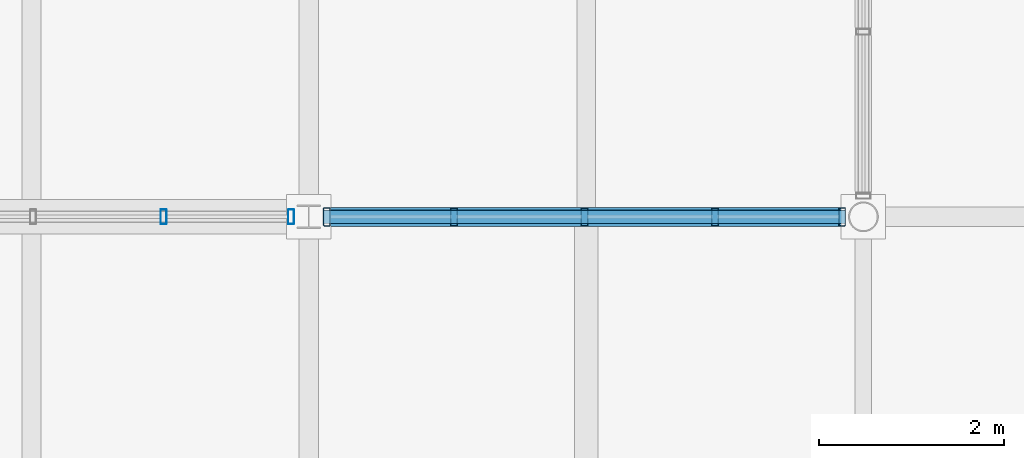
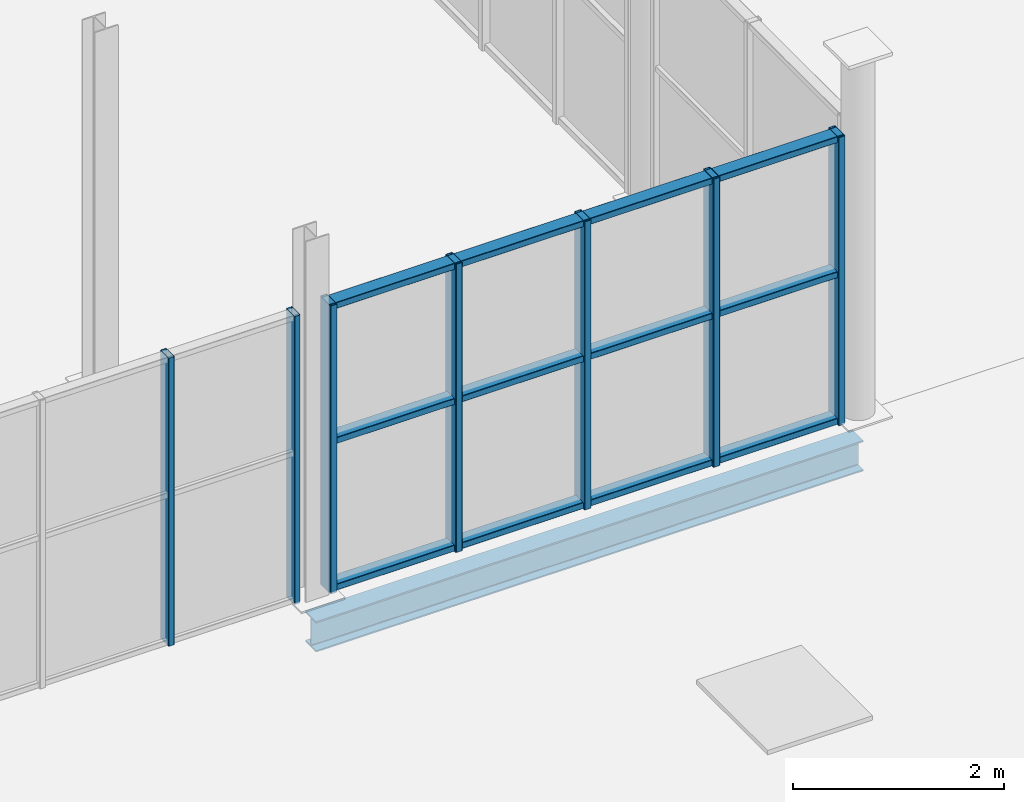
# One storey, part 7 of 27: 10 members, 1 beam, 2 elements without a shape of their own.
"""IFC4 building model written with IfcOpenShell, lengths in metres."""

from ifc_helpers import new_model, si_unit, direction, frame, origin, origin_2d, place, context, subcontext, project, spatial, hollow_rectangle, i_section, extrude, material, material_profile, profile_set, type_object, element, aggregate, save


model = new_model("IFC4")

# Units and contexts
model_context = context("Model", 3, precision=1e-05, world=origin(), true_north=direction((0.0, 1.0)))
body_context = subcontext(model_context, "Body", "Model", "MODEL_VIEW")
ifc_project = project(units=[si_unit("LENGTHUNIT", "METRE"), si_unit("AREAUNIT", "SQUARE_METRE"), si_unit("VOLUMEUNIT", "CUBIC_METRE"), si_unit("PLANEANGLEUNIT", "RADIAN"), si_unit("MASSUNIT", "GRAM", prefix="KILO")], contexts=[model_context])

# Site, building, storey
site_placement = place(None, origin())
site = spatial("IfcSite", under=ifc_project, at=site_placement, CompositionType="ELEMENT")
building_placement = place(site_placement, origin())
building = spatial("IfcBuilding", under=site, at=building_placement, Name="Verrall Gate Interchange", CompositionType="ELEMENT")
storey_placement = place(building_placement, frame((0.0, 0.0, 28.60009765625)))
storey = spatial("IfcBuildingStorey", under=building, at=storey_placement, Name="L07", CompositionType="ELEMENT", Elevation=28.60009765625)

# Beam
ifc_material_1 = material(Name="Structural Steel CSA G40.21 350W", Category="steel")
ifc_material_profile_1 = material_profile(ifc_material_1, i_section(OverallWidth=0.205078125, OverallDepth=0.35400390625, WebThickness=0.009521484375, FlangeThickness=0.016845703125, FilletRadius=0.012939453125, at=origin_2d()), Name="W360x79")
ifc_profile_set_1 = profile_set([ifc_material_profile_1], Name="Structural Steel CSA G40.21 350W")
beam_type = type_object("IfcBeamType", Name="B-14 Structural Beam W360x79", PredefinedType="BEAM", material=ifc_profile_set_1)
beam_placement = place(storey_placement, frame((24.0, 12.0, -0.43701171875), z_axis=(1.0, 0.0, 0.0), x_axis=(0.0, 1.0, 0.0)))
element("IfcBeam", 1, at=beam_placement, inside=storey, type_object=beam_type, Name="L07 Girder BM-L07-3230 (B-14)", PredefinedType="BEAM", context=body_context, shape_type="SweptSolid", body=[
    extrude(i_section(OverallWidth=0.205078125, OverallDepth=0.35400390625, WebThickness=0.009521484375, FlangeThickness=0.016845703125, FilletRadius=0.012939453125, at=origin_2d()), origin(), (0.0, 0.0, 1.0), 6.0),
])

# Curtain wall, members
ifc_material_2 = material(Name="Thermally Broken Anodized Aluminium Curtain Wall Framing", Category="aluminium")
curtain_wall_type = type_object("IfcCurtainWallType", Name="CW-43 Unitized Curtain Wall 5612x3310", PredefinedType="NOTDEFINED", material=ifc_material_2)
curtain_wall_1_placement = place(storey_placement, origin())
curtain_wall_1 = element("IfcCurtainWall", 2, at=curtain_wall_1_placement, inside=storey, type_object=curtain_wall_type, Name="L07 Unitized Curtain Wall CW-L07-154", PredefinedType="NOTDEFINED")
ifc_material_3 = material(Name="Thermally Broken Anodized Aluminium Curtain Wall Framing", Category="aluminium")
ifc_material_profile_2 = material_profile(ifc_material_3, hollow_rectangle(XDim=0.06494140625, YDim=0.159912109375, WallThickness=0.00390625, InnerFilletRadius=0.00390625, OuterFilletRadius=0.008056640625, at=origin_2d()), Name="CWM160x65x4")
ifc_profile_set_2 = profile_set([ifc_material_profile_2], Name="Thermally Broken Anodized Aluminium Curtain Wall Framing")
member_type_1 = type_object("IfcMemberType", Name="CM-01 Curtain Mullion CWM160x65x4", PredefinedType="MULLION", material=ifc_profile_set_2)
member_1_placement = place(storey_placement, frame((22.42919921875, 12.0, 0.0), z_axis=(0.0, 0.0, 1.0), x_axis=(1.0, 0.0, 0.0)))
member_1 = element("IfcMember", 3, at=member_1_placement, type_object=member_type_1, Name="CW-L07-154 Mullion 4", PredefinedType="MULLION", context=body_context, shape_type="SweptSolid", body=[
    extrude(hollow_rectangle(XDim=0.06494140625, YDim=0.159912109375, WallThickness=0.00390625, InnerFilletRadius=0.00390625, OuterFilletRadius=0.008056640625, at=origin_2d()), origin(), (0.0, 0.0, 1.0), 3.33984375),
])
member_2_placement = place(storey_placement, frame((23.80859375, 12.0, 0.0), z_axis=(0.0, 0.0, 1.0), x_axis=(1.0, 0.0, 0.0)))
member_2 = element("IfcMember", 4, at=member_2_placement, type_object=member_type_1, Name="CW-L07-154 Mullion 5", PredefinedType="MULLION", context=body_context, shape_type="SweptSolid", body=[
    extrude(hollow_rectangle(XDim=0.06494140625, YDim=0.159912109375, WallThickness=0.00390625, InnerFilletRadius=0.00390625, OuterFilletRadius=0.008056640625, at=origin_2d()), origin(), (0.0, 0.0, 1.0), 3.33984375),
])
aggregate(curtain_wall_1, [member_1, member_2])

curtain_wall_2_placement = place(storey_placement, origin())
curtain_wall_2 = element("IfcCurtainWall", 5, at=curtain_wall_2_placement, inside=storey, type_object=curtain_wall_type, Name="L07 Unitized Curtain Wall CW-L07-155", PredefinedType="NOTDEFINED")
ifc_material_4 = material(Name="Thermally Broken Anodized Aluminium Curtain Wall Framing", Category="aluminium")
ifc_material_profile_3 = material_profile(ifc_material_4, hollow_rectangle(XDim=0.074951171875, YDim=0.199951171875, WallThickness=0.0048828125, InnerFilletRadius=0.0048828125, OuterFilletRadius=0.010009765625, at=origin_2d()), Name="CWM200x75x5")
ifc_profile_set_3 = profile_set([ifc_material_profile_3], Name="Thermally Broken Anodized Aluminium Curtain Wall Framing")
member_type_2 = type_object("IfcMemberType", Name="CM-02 Curtain Mullion CWM200x75x5", PredefinedType="MULLION", material=ifc_profile_set_3)
member_3_placement = place(storey_placement, frame((24.196533203125, 12.0, 0.0), z_axis=(0.0, 0.0, 1.0), x_axis=(1.0, 0.0, 0.0)))
member_3 = element("IfcMember", 6, at=member_3_placement, type_object=member_type_2, Name="CW-L07-155 Mullion 1", PredefinedType="MULLION", context=body_context, shape_type="SweptSolid", body=[
    extrude(hollow_rectangle(XDim=0.074951171875, YDim=0.199951171875, WallThickness=0.0048828125, InnerFilletRadius=0.0048828125, OuterFilletRadius=0.010009765625, at=origin_2d()), origin(), (0.0, 0.0, 1.0), 3.33984375),
])
member_4_placement = place(storey_placement, frame((25.57080078125, 12.0, 0.0), z_axis=(0.0, 0.0, 1.0), x_axis=(1.0, 0.0, 0.0)))
member_4 = element("IfcMember", 7, at=member_4_placement, type_object=member_type_2, Name="CW-L07-155 Mullion 2", PredefinedType="MULLION", context=body_context, shape_type="SweptSolid", body=[
    extrude(hollow_rectangle(XDim=0.074951171875, YDim=0.199951171875, WallThickness=0.0048828125, InnerFilletRadius=0.0048828125, OuterFilletRadius=0.010009765625, at=origin_2d()), origin(), (0.0, 0.0, 1.0), 3.33984375),
])
member_5_placement = place(storey_placement, frame((26.982666015625, 12.0, 0.0), z_axis=(0.0, 0.0, 1.0), x_axis=(1.0, 0.0, 0.0)))
member_5 = element("IfcMember", 8, at=member_5_placement, type_object=member_type_2, Name="CW-L07-155 Mullion 3", PredefinedType="MULLION", context=body_context, shape_type="SweptSolid", body=[
    extrude(hollow_rectangle(XDim=0.074951171875, YDim=0.199951171875, WallThickness=0.0048828125, InnerFilletRadius=0.0048828125, OuterFilletRadius=0.010009765625, at=origin_2d()), origin(), (0.0, 0.0, 1.0), 3.33984375),
])
member_6_placement = place(storey_placement, frame((28.394287109375, 12.0, 0.0), z_axis=(0.0, 0.0, 1.0), x_axis=(1.0, 0.0, 0.0)))
member_6 = element("IfcMember", 9, at=member_6_placement, type_object=member_type_2, Name="CW-L07-155 Mullion 4", PredefinedType="MULLION", context=body_context, shape_type="SweptSolid", body=[
    extrude(hollow_rectangle(XDim=0.074951171875, YDim=0.199951171875, WallThickness=0.0048828125, InnerFilletRadius=0.0048828125, OuterFilletRadius=0.010009765625, at=origin_2d()), origin(), (0.0, 0.0, 1.0), 3.33984375),
])
member_7_placement = place(storey_placement, frame((29.7685546875, 12.0, 0.0), z_axis=(0.0, 0.0, 1.0), x_axis=(1.0, 0.0, 0.0)))
member_7 = element("IfcMember", 10, at=member_7_placement, type_object=member_type_2, Name="CW-L07-155 Mullion 5", PredefinedType="MULLION", context=body_context, shape_type="SweptSolid", body=[
    extrude(hollow_rectangle(XDim=0.074951171875, YDim=0.199951171875, WallThickness=0.0048828125, InnerFilletRadius=0.0048828125, OuterFilletRadius=0.010009765625, at=origin_2d()), origin(), (0.0, 0.0, 1.0), 3.33984375),
])
ifc_material_5 = material(Name="Thermally Broken Anodized Aluminium Curtain Wall Framing", Category="aluminium")
ifc_material_profile_4 = material_profile(ifc_material_5, hollow_rectangle(XDim=0.14990234375, YDim=0.074951171875, WallThickness=0.00439453125, InnerFilletRadius=0.00439453125, OuterFilletRadius=0.009033203125, at=origin_2d()), Name="CWT150x75x4.5")
ifc_profile_set_4 = profile_set([ifc_material_profile_4], Name="Thermally Broken Anodized Aluminium Curtain Wall Framing")
member_type_3 = type_object("IfcMemberType", Name="CT-02 Curtain Transom CWT150x75x4.5", PredefinedType="USERDEFINED", material=ifc_profile_set_4)
member_8_placement = place(storey_placement, frame((24.158935546875, 12.0, 0.037353515625), z_axis=(1.0, 0.0, 0.0), x_axis=(0.0, 1.0, 0.0)))
member_8 = element("IfcMember", 11, at=member_8_placement, type_object=member_type_3, Name="CW-L07-155 Transom 1", ObjectType="TRANSOM", PredefinedType="USERDEFINED", context=body_context, shape_type="SweptSolid", body=[
    extrude(hollow_rectangle(XDim=0.14990234375, YDim=0.074951171875, WallThickness=0.00439453125, InnerFilletRadius=0.00439453125, OuterFilletRadius=0.009033203125, at=origin_2d()), origin(), (0.0, 0.0, 1.0), 5.647216796875),
])
member_9_placement = place(storey_placement, frame((24.158935546875, 12.0, 1.73681640625), z_axis=(1.0, 0.0, 0.0), x_axis=(0.0, 1.0, 0.0)))
member_9 = element("IfcMember", 12, at=member_9_placement, type_object=member_type_3, Name="CW-L07-155 Transom 2", ObjectType="TRANSOM", PredefinedType="USERDEFINED", context=body_context, shape_type="SweptSolid", body=[
    extrude(hollow_rectangle(XDim=0.14990234375, YDim=0.074951171875, WallThickness=0.00439453125, InnerFilletRadius=0.00439453125, OuterFilletRadius=0.009033203125, at=origin_2d()), origin(), (0.0, 0.0, 1.0), 5.647216796875),
])
member_10_placement = place(storey_placement, frame((24.158935546875, 12.0, 3.302490234375), z_axis=(1.0, 0.0, 0.0), x_axis=(0.0, 1.0, 0.0)))
member_10 = element("IfcMember", 13, at=member_10_placement, type_object=member_type_3, Name="CW-L07-155 Transom 3", ObjectType="TRANSOM", PredefinedType="USERDEFINED", context=body_context, shape_type="SweptSolid", body=[
    extrude(hollow_rectangle(XDim=0.14990234375, YDim=0.074951171875, WallThickness=0.00439453125, InnerFilletRadius=0.00439453125, OuterFilletRadius=0.009033203125, at=origin_2d()), origin(), (0.0, 0.0, 1.0), 5.647216796875),
])
aggregate(curtain_wall_2, [member_3, member_4, member_5, member_6, member_7, member_8, member_9, member_10])

save(model, "model.ifc")
